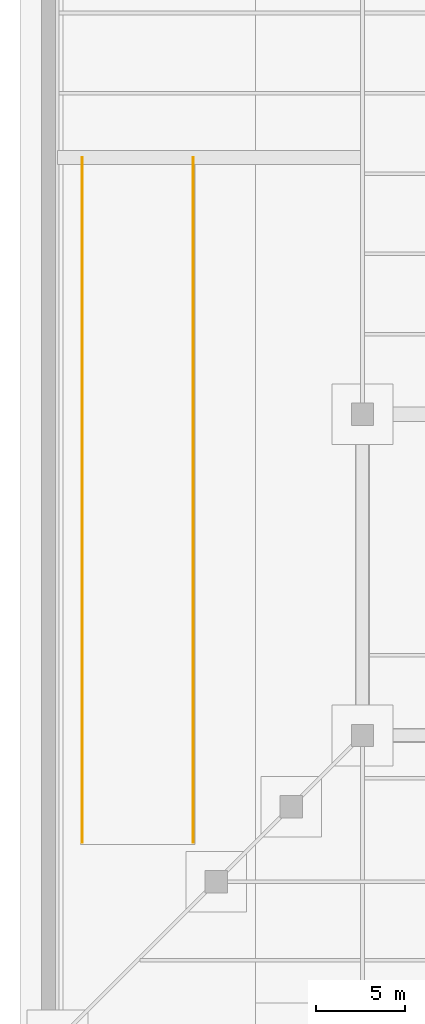
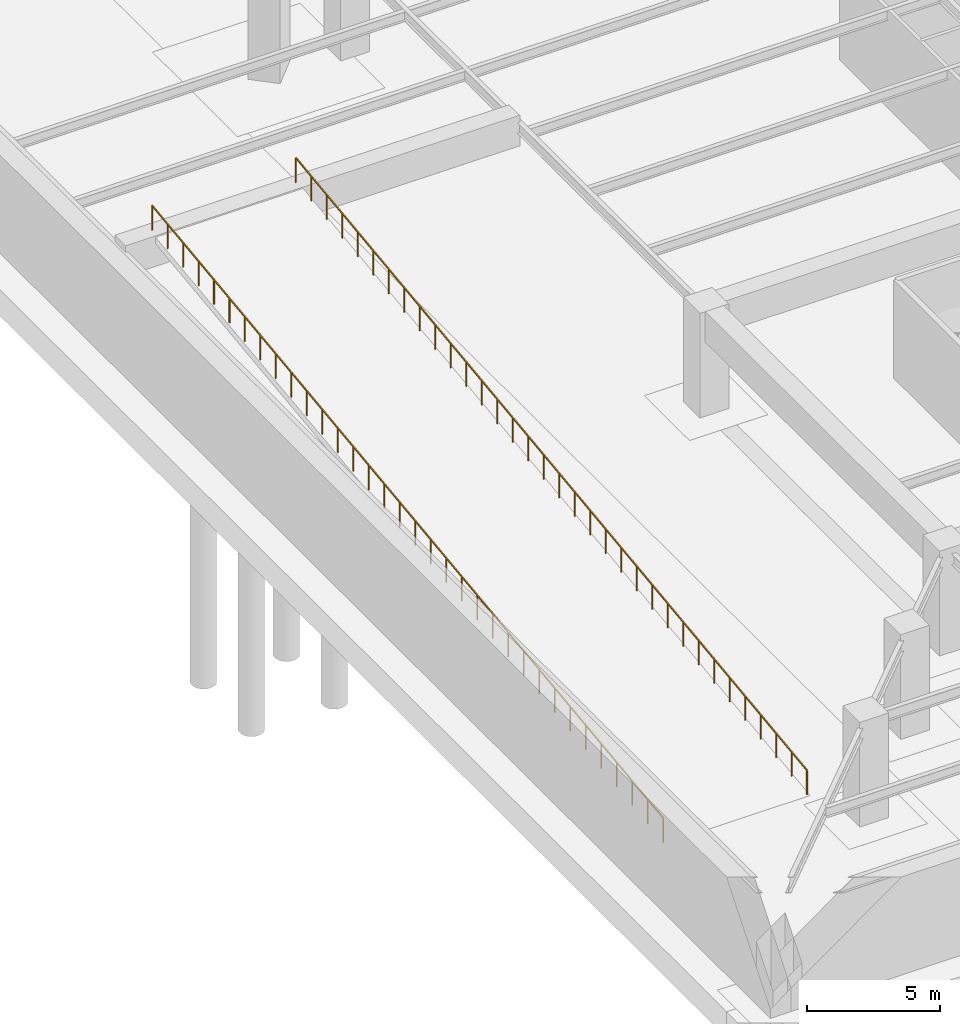
# One storey, part 14 of 19: 2 railings.
"""IFC4 building model written with IfcOpenShell, lengths in metres."""

from ifc_helpers import new_model, si_unit, direction, frame, origin, origin_2d, place, context, subcontext, project, spatial, rectangle, extrude, material, type_object, element, save


model = new_model("IFC4")

# Units and contexts
model_context = context("Model", 3, precision=1e-05, world=origin(), true_north=direction((0.0, 1.0)))
body_context = subcontext(model_context, "Body", "Model", "MODEL_VIEW")
ifc_project = project(units=[si_unit("LENGTHUNIT", "METRE"), si_unit("AREAUNIT", "SQUARE_METRE"), si_unit("VOLUMEUNIT", "CUBIC_METRE"), si_unit("PLANEANGLEUNIT", "RADIAN"), si_unit("MASSUNIT", "GRAM", prefix="KILO")], contexts=[model_context])

# Site, building, storey
site_placement = place(None, origin())
site = spatial("IfcSite", under=ifc_project, at=site_placement, CompositionType="ELEMENT")
building_placement = place(site_placement, origin())
building = spatial("IfcBuilding", under=site, at=building_placement, Name="Liaohun Quay Tower", CompositionType="ELEMENT")
storey_placement = place(building_placement, frame((0.0, 0.0, -9.60009765625)))
storey = spatial("IfcBuildingStorey", under=building, at=storey_placement, Name="B2", CompositionType="ELEMENT", Elevation=-9.60009765625)

# Railings
ifc_material = material(Name="Painted tubular steel", Category="steel")
railing_type = type_object("IfcRailingType", Name="RLG-GUARD-STR", PredefinedType="GUARDRAIL", material=ifc_material)
railing_1_placement = place(storey_placement, frame((8.280029296875, 18.0, 0.0)))
element("IfcRailing", 1, at=railing_1_placement, inside=storey, type_object=railing_type, Name="B2 Vehicle Ramp R1 Sloped Guard 1", PredefinedType="GUARDRAIL", context=body_context, shape_type="SweptSolid", body=[
    extrude(rectangle(XDim=0.048095703125, YDim=0.048095703125, at=origin_2d()), frame((0.0, 0.0, 1.1259765625), z_axis=(0.0, 0.992277682597, 0.124036287512), x_axis=(-1.0, 0.0, 0.0)), (0.0, 0.0, 1.0), 38.69873046875),
    extrude(rectangle(XDim=0.0419921875, YDim=0.0419921875, at=origin_2d()), origin(), (0.0, 0.0, 1.0), 1.101806640625),
    extrude(rectangle(XDim=0.0419921875, YDim=0.0419921875, at=origin_2d()), frame((0.0, 1.16357421875, 0.1455078125)), (0.0, 0.0, 1.0), 1.101806640625),
    extrude(rectangle(XDim=0.0419921875, YDim=0.0419921875, at=origin_2d()), frame((0.0, 2.3271484375, 0.291015625)), (0.0, 0.0, 1.0), 1.101806640625),
    extrude(rectangle(XDim=0.0419921875, YDim=0.0419921875, at=origin_2d()), frame((0.0, 3.490966796875, 0.436279296875)), (0.0, 0.0, 1.0), 1.101806640625),
    extrude(rectangle(XDim=0.0419921875, YDim=0.0419921875, at=origin_2d()), frame((0.0, 4.654541015625, 0.581787109375)), (0.0, 0.0, 1.0), 1.101806640625),
    extrude(rectangle(XDim=0.0419921875, YDim=0.0419921875, at=origin_2d()), frame((0.0, 5.818115234375, 0.727294921875)), (0.0, 0.0, 1.0), 1.101806640625),
    extrude(rectangle(XDim=0.0419921875, YDim=0.0419921875, at=origin_2d()), frame((0.0, 6.981689453125, 0.872802734375)), (0.0, 0.0, 1.0), 1.101806640625),
    extrude(rectangle(XDim=0.0419921875, YDim=0.0419921875, at=origin_2d()), frame((0.0, 8.1455078125, 1.018310546875)), (0.0, 0.0, 1.0), 1.101806640625),
    extrude(rectangle(XDim=0.0419921875, YDim=0.0419921875, at=origin_2d()), frame((0.0, 9.30908203125, 1.16357421875)), (0.0, 0.0, 1.0), 1.101806640625),
    extrude(rectangle(XDim=0.0419921875, YDim=0.0419921875, at=origin_2d()), frame((0.0, 10.47265625, 1.30908203125)), (0.0, 0.0, 1.0), 1.101806640625),
    extrude(rectangle(XDim=0.0419921875, YDim=0.0419921875, at=origin_2d()), frame((0.0, 11.63623046875, 1.45458984375)), (0.0, 0.0, 1.0), 1.101806640625),
    extrude(rectangle(XDim=0.0419921875, YDim=0.0419921875, at=origin_2d()), frame((0.0, 12.800048828125, 1.60009765625)), (0.0, 0.0, 1.0), 1.101806640625),
    extrude(rectangle(XDim=0.0419921875, YDim=0.0419921875, at=origin_2d()), frame((0.0, 13.963623046875, 1.745361328125)), (0.0, 0.0, 1.0), 1.101806640625),
    extrude(rectangle(XDim=0.0419921875, YDim=0.0419921875, at=origin_2d()), frame((0.0, 15.127197265625, 1.890869140625)), (0.0, 0.0, 1.0), 1.101806640625),
    extrude(rectangle(XDim=0.0419921875, YDim=0.0419921875, at=origin_2d()), frame((0.0, 16.290771484375, 2.036376953125)), (0.0, 0.0, 1.0), 1.101806640625),
    extrude(rectangle(XDim=0.0419921875, YDim=0.0419921875, at=origin_2d()), frame((0.0, 17.45458984375, 2.181884765625)), (0.0, 0.0, 1.0), 1.101806640625),
    extrude(rectangle(XDim=0.0419921875, YDim=0.0419921875, at=origin_2d()), frame((0.0, 18.6181640625, 2.327392578125)), (0.0, 0.0, 1.0), 1.101806640625),
    extrude(rectangle(XDim=0.0419921875, YDim=0.0419921875, at=origin_2d()), frame((0.0, 19.78173828125, 2.47265625)), (0.0, 0.0, 1.0), 1.101806640625),
    extrude(rectangle(XDim=0.0419921875, YDim=0.0419921875, at=origin_2d()), frame((0.0, 20.9453125, 2.6181640625)), (0.0, 0.0, 1.0), 1.101806640625),
    extrude(rectangle(XDim=0.0419921875, YDim=0.0419921875, at=origin_2d()), frame((0.0, 22.109130859375, 2.763671875)), (0.0, 0.0, 1.0), 1.101806640625),
    extrude(rectangle(XDim=0.0419921875, YDim=0.0419921875, at=origin_2d()), frame((0.0, 23.272705078125, 2.9091796875)), (0.0, 0.0, 1.0), 1.101806640625),
    extrude(rectangle(XDim=0.0419921875, YDim=0.0419921875, at=origin_2d()), frame((0.0, 24.436279296875, 3.0546875)), (0.0, 0.0, 1.0), 1.101806640625),
    extrude(rectangle(XDim=0.0419921875, YDim=0.0419921875, at=origin_2d()), frame((0.0, 25.599853515625, 3.199951171875)), (0.0, 0.0, 1.0), 1.101806640625),
    extrude(rectangle(XDim=0.0419921875, YDim=0.0419921875, at=origin_2d()), frame((0.0, 26.763671875, 3.345458984375)), (0.0, 0.0, 1.0), 1.101806640625),
    extrude(rectangle(XDim=0.0419921875, YDim=0.0419921875, at=origin_2d()), frame((0.0, 27.92724609375, 3.490966796875)), (0.0, 0.0, 1.0), 1.101806640625),
    extrude(rectangle(XDim=0.0419921875, YDim=0.0419921875, at=origin_2d()), frame((0.0, 29.0908203125, 3.636474609375)), (0.0, 0.0, 1.0), 1.101806640625),
    extrude(rectangle(XDim=0.0419921875, YDim=0.0419921875, at=origin_2d()), frame((0.0, 30.25439453125, 3.78173828125)), (0.0, 0.0, 1.0), 1.101806640625),
    extrude(rectangle(XDim=0.0419921875, YDim=0.0419921875, at=origin_2d()), frame((0.0, 31.418212890625, 3.92724609375)), (0.0, 0.0, 1.0), 1.101806640625),
    extrude(rectangle(XDim=0.0419921875, YDim=0.0419921875, at=origin_2d()), frame((0.0, 32.581787109375, 4.07275390625)), (0.0, 0.0, 1.0), 1.101806640625),
    extrude(rectangle(XDim=0.0419921875, YDim=0.0419921875, at=origin_2d()), frame((0.0, 33.745361328125, 4.21826171875)), (0.0, 0.0, 1.0), 1.101806640625),
    extrude(rectangle(XDim=0.0419921875, YDim=0.0419921875, at=origin_2d()), frame((0.0, 34.908935546875, 4.36376953125)), (0.0, 0.0, 1.0), 1.101806640625),
    extrude(rectangle(XDim=0.0419921875, YDim=0.0419921875, at=origin_2d()), frame((0.0, 36.07275390625, 4.509033203125)), (0.0, 0.0, 1.0), 1.101806640625),
    extrude(rectangle(XDim=0.0419921875, YDim=0.0419921875, at=origin_2d()), frame((0.0, 37.236328125, 4.654541015625)), (0.0, 0.0, 1.0), 1.101806640625),
    extrude(rectangle(XDim=0.0419921875, YDim=0.0419921875, at=origin_2d()), frame((0.0, 38.39990234375, 4.800048828125)), (0.0, 0.0, 1.0), 1.101806640625),
])
railing_2_placement = place(storey_placement, frame((14.52001953125, 18.0, 0.0)))
element("IfcRailing", 2, at=railing_2_placement, inside=storey, type_object=railing_type, Name="B2 Vehicle Ramp R1 Sloped Guard 2", PredefinedType="GUARDRAIL", context=body_context, shape_type="SweptSolid", body=[
    extrude(rectangle(XDim=0.048095703125, YDim=0.048095703125, at=origin_2d()), frame((0.0, 0.0, 1.1259765625), z_axis=(0.0, 0.992277682597, 0.124036287512), x_axis=(-1.0, 0.0, 0.0)), (0.0, 0.0, 1.0), 38.69873046875),
    extrude(rectangle(XDim=0.0419921875, YDim=0.0419921875, at=origin_2d()), origin(), (0.0, 0.0, 1.0), 1.101806640625),
    extrude(rectangle(XDim=0.0419921875, YDim=0.0419921875, at=origin_2d()), frame((0.0, 1.16357421875, 0.1455078125)), (0.0, 0.0, 1.0), 1.101806640625),
    extrude(rectangle(XDim=0.0419921875, YDim=0.0419921875, at=origin_2d()), frame((0.0, 2.3271484375, 0.291015625)), (0.0, 0.0, 1.0), 1.101806640625),
    extrude(rectangle(XDim=0.0419921875, YDim=0.0419921875, at=origin_2d()), frame((0.0, 3.490966796875, 0.436279296875)), (0.0, 0.0, 1.0), 1.101806640625),
    extrude(rectangle(XDim=0.0419921875, YDim=0.0419921875, at=origin_2d()), frame((0.0, 4.654541015625, 0.581787109375)), (0.0, 0.0, 1.0), 1.101806640625),
    extrude(rectangle(XDim=0.0419921875, YDim=0.0419921875, at=origin_2d()), frame((0.0, 5.818115234375, 0.727294921875)), (0.0, 0.0, 1.0), 1.101806640625),
    extrude(rectangle(XDim=0.0419921875, YDim=0.0419921875, at=origin_2d()), frame((0.0, 6.981689453125, 0.872802734375)), (0.0, 0.0, 1.0), 1.101806640625),
    extrude(rectangle(XDim=0.0419921875, YDim=0.0419921875, at=origin_2d()), frame((0.0, 8.1455078125, 1.018310546875)), (0.0, 0.0, 1.0), 1.101806640625),
    extrude(rectangle(XDim=0.0419921875, YDim=0.0419921875, at=origin_2d()), frame((0.0, 9.30908203125, 1.16357421875)), (0.0, 0.0, 1.0), 1.101806640625),
    extrude(rectangle(XDim=0.0419921875, YDim=0.0419921875, at=origin_2d()), frame((0.0, 10.47265625, 1.30908203125)), (0.0, 0.0, 1.0), 1.101806640625),
    extrude(rectangle(XDim=0.0419921875, YDim=0.0419921875, at=origin_2d()), frame((0.0, 11.63623046875, 1.45458984375)), (0.0, 0.0, 1.0), 1.101806640625),
    extrude(rectangle(XDim=0.0419921875, YDim=0.0419921875, at=origin_2d()), frame((0.0, 12.800048828125, 1.60009765625)), (0.0, 0.0, 1.0), 1.101806640625),
    extrude(rectangle(XDim=0.0419921875, YDim=0.0419921875, at=origin_2d()), frame((0.0, 13.963623046875, 1.745361328125)), (0.0, 0.0, 1.0), 1.101806640625),
    extrude(rectangle(XDim=0.0419921875, YDim=0.0419921875, at=origin_2d()), frame((0.0, 15.127197265625, 1.890869140625)), (0.0, 0.0, 1.0), 1.101806640625),
    extrude(rectangle(XDim=0.0419921875, YDim=0.0419921875, at=origin_2d()), frame((0.0, 16.290771484375, 2.036376953125)), (0.0, 0.0, 1.0), 1.101806640625),
    extrude(rectangle(XDim=0.0419921875, YDim=0.0419921875, at=origin_2d()), frame((0.0, 17.45458984375, 2.181884765625)), (0.0, 0.0, 1.0), 1.101806640625),
    extrude(rectangle(XDim=0.0419921875, YDim=0.0419921875, at=origin_2d()), frame((0.0, 18.6181640625, 2.327392578125)), (0.0, 0.0, 1.0), 1.101806640625),
    extrude(rectangle(XDim=0.0419921875, YDim=0.0419921875, at=origin_2d()), frame((0.0, 19.78173828125, 2.47265625)), (0.0, 0.0, 1.0), 1.101806640625),
    extrude(rectangle(XDim=0.0419921875, YDim=0.0419921875, at=origin_2d()), frame((0.0, 20.9453125, 2.6181640625)), (0.0, 0.0, 1.0), 1.101806640625),
    extrude(rectangle(XDim=0.0419921875, YDim=0.0419921875, at=origin_2d()), frame((0.0, 22.109130859375, 2.763671875)), (0.0, 0.0, 1.0), 1.101806640625),
    extrude(rectangle(XDim=0.0419921875, YDim=0.0419921875, at=origin_2d()), frame((0.0, 23.272705078125, 2.9091796875)), (0.0, 0.0, 1.0), 1.101806640625),
    extrude(rectangle(XDim=0.0419921875, YDim=0.0419921875, at=origin_2d()), frame((0.0, 24.436279296875, 3.0546875)), (0.0, 0.0, 1.0), 1.101806640625),
    extrude(rectangle(XDim=0.0419921875, YDim=0.0419921875, at=origin_2d()), frame((0.0, 25.599853515625, 3.199951171875)), (0.0, 0.0, 1.0), 1.101806640625),
    extrude(rectangle(XDim=0.0419921875, YDim=0.0419921875, at=origin_2d()), frame((0.0, 26.763671875, 3.345458984375)), (0.0, 0.0, 1.0), 1.101806640625),
    extrude(rectangle(XDim=0.0419921875, YDim=0.0419921875, at=origin_2d()), frame((0.0, 27.92724609375, 3.490966796875)), (0.0, 0.0, 1.0), 1.101806640625),
    extrude(rectangle(XDim=0.0419921875, YDim=0.0419921875, at=origin_2d()), frame((0.0, 29.0908203125, 3.636474609375)), (0.0, 0.0, 1.0), 1.101806640625),
    extrude(rectangle(XDim=0.0419921875, YDim=0.0419921875, at=origin_2d()), frame((0.0, 30.25439453125, 3.78173828125)), (0.0, 0.0, 1.0), 1.101806640625),
    extrude(rectangle(XDim=0.0419921875, YDim=0.0419921875, at=origin_2d()), frame((0.0, 31.418212890625, 3.92724609375)), (0.0, 0.0, 1.0), 1.101806640625),
    extrude(rectangle(XDim=0.0419921875, YDim=0.0419921875, at=origin_2d()), frame((0.0, 32.581787109375, 4.07275390625)), (0.0, 0.0, 1.0), 1.101806640625),
    extrude(rectangle(XDim=0.0419921875, YDim=0.0419921875, at=origin_2d()), frame((0.0, 33.745361328125, 4.21826171875)), (0.0, 0.0, 1.0), 1.101806640625),
    extrude(rectangle(XDim=0.0419921875, YDim=0.0419921875, at=origin_2d()), frame((0.0, 34.908935546875, 4.36376953125)), (0.0, 0.0, 1.0), 1.101806640625),
    extrude(rectangle(XDim=0.0419921875, YDim=0.0419921875, at=origin_2d()), frame((0.0, 36.07275390625, 4.509033203125)), (0.0, 0.0, 1.0), 1.101806640625),
    extrude(rectangle(XDim=0.0419921875, YDim=0.0419921875, at=origin_2d()), frame((0.0, 37.236328125, 4.654541015625)), (0.0, 0.0, 1.0), 1.101806640625),
    extrude(rectangle(XDim=0.0419921875, YDim=0.0419921875, at=origin_2d()), frame((0.0, 38.39990234375, 4.800048828125)), (0.0, 0.0, 1.0), 1.101806640625),
])

save(model, "model.ifc")
